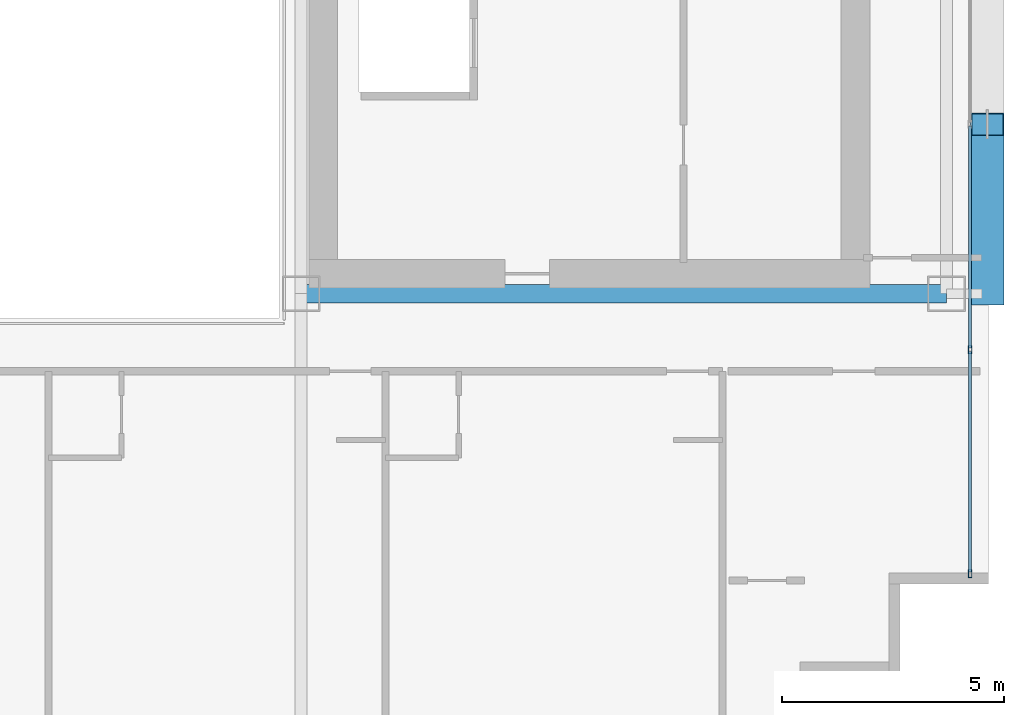
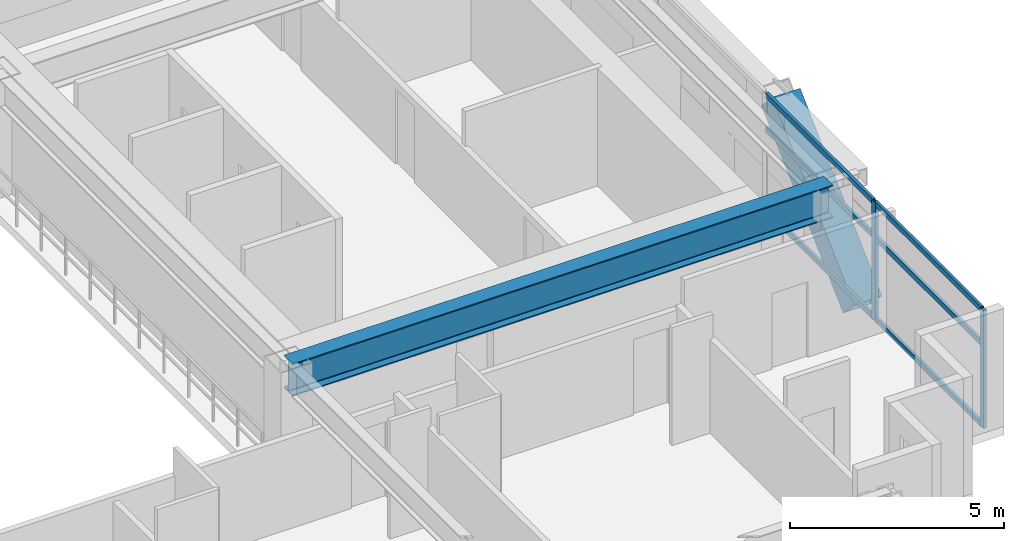
# One storey, part 11 of 35: 9 members, 1 beam, 1 element without a shape of its own.
"""IFC4 building model written with IfcOpenShell, lengths in metres."""

from ifc_helpers import new_model, si_unit, direction, frame, origin, origin_2d, place, context, subcontext, project, spatial, hollow_rectangle, i_section, extrude, source, transform, mapped, material, layer, layer_set, material_profile, profile_set, type_object, element, aggregate, save


model = new_model("IFC4")

# Units and contexts
model_context = context("Model", 3, precision=1e-05, world=origin(), true_north=direction((0.0, 1.0)))
body_context = subcontext(model_context, "Body", "Model", "MODEL_VIEW")
ifc_project = project(units=[si_unit("LENGTHUNIT", "METRE"), si_unit("AREAUNIT", "SQUARE_METRE"), si_unit("VOLUMEUNIT", "CUBIC_METRE"), si_unit("PLANEANGLEUNIT", "RADIAN"), si_unit("MASSUNIT", "GRAM", prefix="KILO")], contexts=[model_context])

# Site, building, storey
site_placement = place(None, origin())
site = spatial("IfcSite", under=ifc_project, at=site_placement, CompositionType="ELEMENT")
building_placement = place(site_placement, origin())
building = spatial("IfcBuilding", under=site, at=building_placement, Name="Ocotamira Hotel", CompositionType="ELEMENT")
storey_placement = place(building_placement, frame((0.0, 0.0, 140.39990234375)))
storey = spatial("IfcBuildingStorey", under=building, at=storey_placement, Name="L35", CompositionType="ELEMENT", Elevation=140.39990234375)

# Beam
ifc_material_1 = material(Name="Steel ASTM A992 Grade 50", Category="steel")
ifc_material_profile_1 = material_profile(ifc_material_1, i_section(OverallWidth=0.41796875, OverallDepth=0.927001953125, WebThickness=0.019287109375, FlangeThickness=0.031982421875, FilletRadius=0.02392578125, at=origin_2d()), Name="W36X231")
ifc_profile_set_1 = profile_set([ifc_material_profile_1], Name="Steel ASTM A992 Grade 50")
beam_type = type_object("IfcBeamType", Name="BM-GIRD-W36X231", PredefinedType="BEAM", material=ifc_profile_set_1)
shared_shape_1 = source(origin(), body_context, "Body", "SweptSolid", [
    extrude(i_section(OverallWidth=0.41796875, OverallDepth=0.927001953125, WebThickness=0.019287109375, FlangeThickness=0.031982421875, FilletRadius=0.02392578125, at=origin_2d()), origin(), (0.0, 0.0, 1.0), 14.550048828125),
])
beam_placement = place(storey_placement, frame((40.5, 14.550048828125, 2.896484375), z_axis=(1.0, 0.0, 0.0), x_axis=(0.0, 1.0, 0.0)))
element("IfcBeam", 1, at=beam_placement, inside=storey, type_object=beam_type, Name="L35 Girder Y14.55 X40.5-55.05", PredefinedType="BEAM", context=body_context, shape_type="MappedRepresentation", body=[
    mapped(shared_shape_1, transform((0.0, 0.0, 0.0), scale=1.0)),
])

# Member
ifc_material_2 = material(Name="Pale-metal coated steel ASTM A913 Grade 65", Category="steel")
ifc_material_profile_2 = material_profile(ifc_material_2, hollow_rectangle(XDim=0.75, YDim=0.75, WallThickness=0.028076171875, at=origin_2d()), Name="BOX750X750X28")
ifc_profile_set_2 = profile_set([ifc_material_profile_2], Name="Pale-metal coated steel ASTM A913 Grade 65")
member_type_1 = type_object("IfcMemberType", Name="MEM-EXO-BOX750", PredefinedType="BRACE", material=ifc_profile_set_2)
shared_shape_2 = source(origin(), body_context, "Body", "SweptSolid", [
    extrude(hollow_rectangle(XDim=0.75, YDim=0.75, WallThickness=0.028076171875, at=origin_2d()), origin(), (0.0, 0.0, 1.0), 5.24658203125),
])
member_1_placement = place(storey_placement, frame((55.969970703125, 14.550048828125, -0.489990234375), z_axis=(0.0, 0.727442733726, 0.686168397078), x_axis=(-1.0, 0.0, 0.0)))
element("IfcMember", 2, at=member_1_placement, inside=storey, type_object=member_type_1, Name="L35 Exoskeleton Diagrid E0.1", PredefinedType="BRACE", context=body_context, shape_type="MappedRepresentation", body=[
    mapped(shared_shape_2, transform((0.0, 0.0, 0.0), scale=1.0)),
])

# Curtain wall, members
ifc_material_3 = material(Name="Anodised pale-metal aluminium and solar glass", Category="aluminium")
ifc_layer = layer(ifc_material_3, 0.179931640625)
ifc_layer_set = layer_set([ifc_layer], Name="Anodised pale-metal aluminium and solar glass")
curtain_wall_type = type_object("IfcCurtainWallType", Name="CW-SYS3-Z2", PredefinedType="NOTDEFINED", material=ifc_layer_set)
curtain_wall_placement = place(storey_placement, origin())
curtain_wall = element("IfcCurtainWall", 3, at=curtain_wall_placement, inside=storey, type_object=curtain_wall_type, Name="L35 Curtain Wall CW-3 CW-L35-E", PredefinedType="NOTDEFINED")
ifc_material_4 = material(Name="Anodised pale-metal aluminium 6063-T6", Category="aluminium")
ifc_material_profile_3 = material_profile(ifc_material_4, hollow_rectangle(XDim=0.074951171875, YDim=0.14990234375, WallThickness=0.006103515625, at=origin_2d()), Name="HSS150X75X6")
ifc_profile_set_3 = profile_set([ifc_material_profile_3], Name="Anodised pale-metal aluminium 6063-T6")
member_type_2 = type_object("IfcMemberType", Name="CWT-150X75", PredefinedType="USERDEFINED", material=ifc_profile_set_3)
shared_shape_3 = source(origin(), body_context, "Body", "SweptSolid", [
    extrude(hollow_rectangle(XDim=0.074951171875, YDim=0.14990234375, WallThickness=0.006103515625, at=origin_2d()), origin(), (0.0, 0.0, 1.0), 4.965576171875),
])
member_2_placement = place(storey_placement, frame((55.580078125, 8.280029296875, 0.03759765625), z_axis=(0.0, 1.0, 0.0), x_axis=(-1.0, 0.0, 0.0)))
member_2 = element("IfcMember", 4, at=member_2_placement, type_object=member_type_2, Name="CW-3 transom 1.1", ObjectType="TRANSOM", PredefinedType="USERDEFINED", context=body_context, shape_type="MappedRepresentation", body=[
    mapped(shared_shape_3, transform((0.0, 0.0, 0.0), scale=1.0)),
])
member_3_placement = place(storey_placement, frame((55.580078125, 8.280029296875, 2.35009765625), z_axis=(0.0, 1.0, 0.0), x_axis=(-1.0, 0.0, 0.0)))
member_3 = element("IfcMember", 5, at=member_3_placement, type_object=member_type_2, Name="CW-3 transom 1.2", ObjectType="TRANSOM", PredefinedType="USERDEFINED", context=body_context, shape_type="MappedRepresentation", body=[
    mapped(shared_shape_3, transform((0.0, 0.0, 0.0), scale=1.0)),
])
member_4_placement = place(storey_placement, frame((55.580078125, 8.280029296875, 3.322509765625), z_axis=(0.0, 1.0, 0.0), x_axis=(-1.0, 0.0, 0.0)))
member_4 = element("IfcMember", 6, at=member_4_placement, type_object=member_type_2, Name="CW-3 transom 1.3", ObjectType="TRANSOM", PredefinedType="USERDEFINED", context=body_context, shape_type="MappedRepresentation", body=[
    mapped(shared_shape_3, transform((0.0, 0.0, 0.0), scale=1.0)),
])
shared_shape_4 = source(origin(), body_context, "Body", "SweptSolid", [
    extrude(hollow_rectangle(XDim=0.074951171875, YDim=0.14990234375, WallThickness=0.006103515625, at=origin_2d()), origin(), (0.0, 0.0, 1.0), 5.005859375),
])
member_5_placement = place(storey_placement, frame((55.580078125, 13.32568359375, 0.03759765625), z_axis=(0.0, 1.0, 0.0), x_axis=(-1.0, 0.0, 0.0)))
member_5 = element("IfcMember", 7, at=member_5_placement, type_object=member_type_2, Name="CW-3 transom 2.1", ObjectType="TRANSOM", PredefinedType="USERDEFINED", context=body_context, shape_type="MappedRepresentation", body=[
    mapped(shared_shape_4, transform((0.0, 0.0, 0.0), scale=1.0)),
])
member_6_placement = place(storey_placement, frame((55.580078125, 13.32568359375, 2.35009765625), z_axis=(0.0, 1.0, 0.0), x_axis=(-1.0, 0.0, 0.0)))
member_6 = element("IfcMember", 8, at=member_6_placement, type_object=member_type_2, Name="CW-3 transom 2.2", ObjectType="TRANSOM", PredefinedType="USERDEFINED", context=body_context, shape_type="MappedRepresentation", body=[
    mapped(shared_shape_4, transform((0.0, 0.0, 0.0), scale=1.0)),
])
member_7_placement = place(storey_placement, frame((55.580078125, 13.32568359375, 3.322509765625), z_axis=(0.0, 1.0, 0.0), x_axis=(-1.0, 0.0, 0.0)))
member_7 = element("IfcMember", 9, at=member_7_placement, type_object=member_type_2, Name="CW-3 transom 2.3", ObjectType="TRANSOM", PredefinedType="USERDEFINED", context=body_context, shape_type="MappedRepresentation", body=[
    mapped(shared_shape_4, transform((0.0, 0.0, 0.0), scale=1.0)),
])
ifc_material_profile_4 = material_profile(ifc_material_4, hollow_rectangle(XDim=0.080078125, YDim=0.179931640625, WallThickness=0.006103515625, at=origin_2d()), Name="HSS180X80X6")
ifc_profile_set_4 = profile_set([ifc_material_profile_4], Name="Anodised pale-metal aluminium 6063-T6")
member_type_3 = type_object("IfcMemberType", Name="CWM-180X75", PredefinedType="MULLION", material=ifc_profile_set_4)
shared_shape_5 = source(origin(), body_context, "Body", "SweptSolid", [
    extrude(hollow_rectangle(XDim=0.080078125, YDim=0.179931640625, WallThickness=0.006103515625, at=origin_2d()), origin(), (0.0, 0.0, 1.0), 3.360107421875),
])
member_8_placement = place(storey_placement, frame((55.580078125, 8.239990234375, 0.0), z_axis=(0.0, 0.0, 1.0), x_axis=(-1.0, 0.0, 0.0)))
member_8 = element("IfcMember", 10, at=member_8_placement, type_object=member_type_3, Name="CW-3 mullion 1", PredefinedType="MULLION", context=body_context, shape_type="MappedRepresentation", body=[
    mapped(shared_shape_5, transform((0.0, 0.0, 0.0), scale=1.0)),
])
member_9_placement = place(storey_placement, frame((55.580078125, 13.28564453125, 0.0), z_axis=(0.0, 0.0, 1.0), x_axis=(-1.0, 0.0, 0.0)))
member_9 = element("IfcMember", 11, at=member_9_placement, type_object=member_type_3, Name="CW-3 mullion 2", PredefinedType="MULLION", context=body_context, shape_type="MappedRepresentation", body=[
    mapped(shared_shape_5, transform((0.0, 0.0, 0.0), scale=1.0)),
])
aggregate(curtain_wall, [member_8, member_9, member_2, member_3, member_4, member_5, member_6, member_7])

save(model, "model.ifc")
